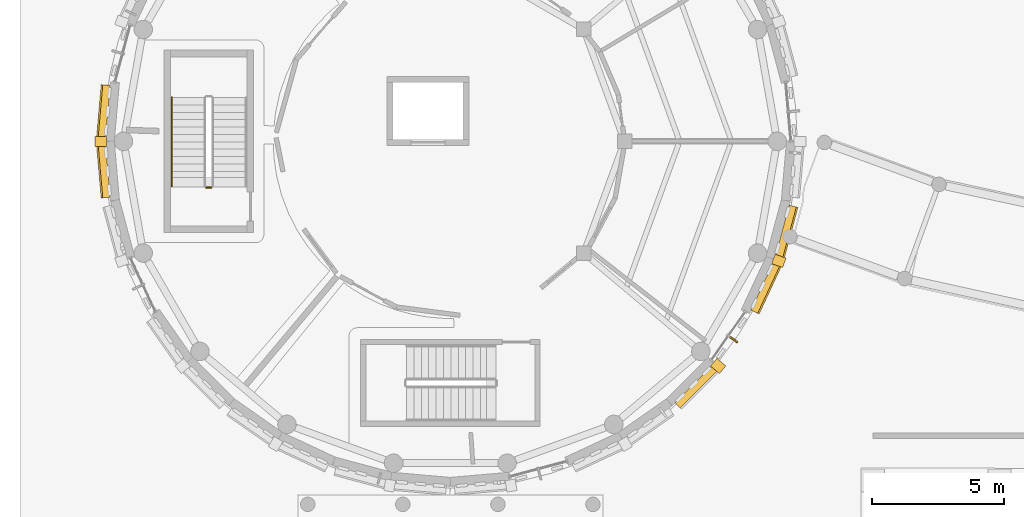
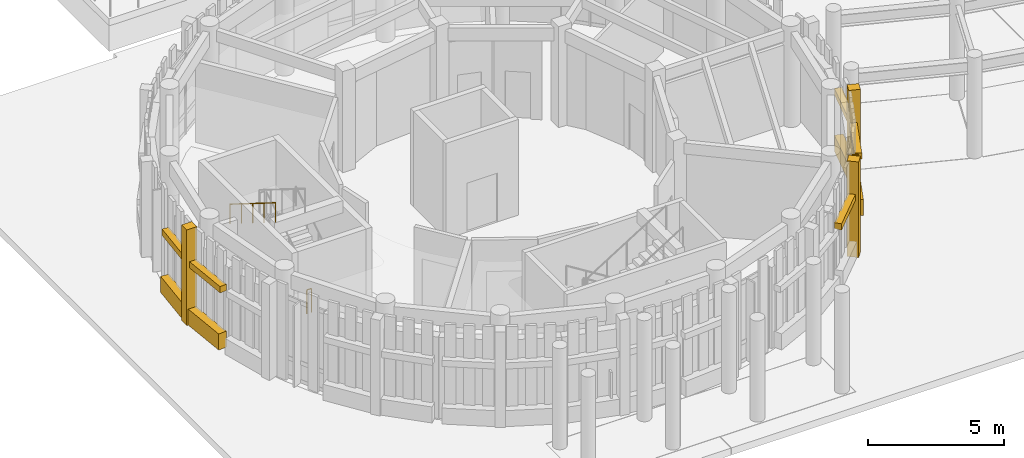
# One storey, part 67 of 94: 12 coverings, 2 railings, 1 shading device.
"""IFC4 building model written with IfcOpenShell, lengths in metres."""

from ifc_helpers import new_model, si_unit, direction, frame, origin, origin_2d, place, context, subcontext, project, spatial, rectangle, circle, extrude, material, layer, layer_set, type_object, element, save


model = new_model("IFC4")

# Units and contexts
model_context = context("Model", 3, precision=1e-05, world=origin(), true_north=direction((0.0, 1.0)))
body_context = subcontext(model_context, "Body", "Model", "MODEL_VIEW")
ifc_project = project(units=[si_unit("LENGTHUNIT", "METRE"), si_unit("AREAUNIT", "SQUARE_METRE"), si_unit("VOLUMEUNIT", "CUBIC_METRE"), si_unit("PLANEANGLEUNIT", "RADIAN"), si_unit("MASSUNIT", "GRAM", prefix="KILO")], contexts=[model_context])

# Site, building, storey
site_placement = place(None, origin())
site = spatial("IfcSite", under=ifc_project, at=site_placement, CompositionType="ELEMENT")
building_placement = place(site_placement, origin())
building = spatial("IfcBuilding", under=site, at=building_placement, Name="Aldenvaro Health Centre", CompositionType="ELEMENT")
storey_placement = place(building_placement, origin())
storey = spatial("IfcBuildingStorey", under=building, at=storey_placement, Name="L00", CompositionType="ELEMENT", Elevation=0.0)

# Coverings
ifc_material_1 = material(Name="Honed Sonoran Buff Limestone", Category="masonry")
ifc_layer = layer(ifc_material_1, 0.280029296875, Name="Honed Sonoran Buff Limestone", Category="masonry")
ifc_layer_set = layer_set([ifc_layer], Name="Honed Sonoran Buff Limestone")
covering_type = type_object("IfcCoveringType", Name="COV-CRN-STN", PredefinedType="CLADDING", material=ifc_layer_set)
covering_1_placement = place(storey_placement, frame((31.240966796875, 15.0859375, 0.0), z_axis=(0.0, 0.0, 1.0), x_axis=(-0.258825000966, -0.9659242304, 0.0)))
element("IfcCovering", 1, at=covering_1_placement, inside=storey, type_object=covering_type, Name="D5 L00 Rusticated Limestone Plinth 2.1", PredefinedType="CLADDING", context=body_context, shape_type="SweptSolid", body=[
    extrude(rectangle(XDim=1.968994140625, YDim=0.340087890625, at=origin_2d()), origin(), (0.0, 0.0, 1.0), 0.719970703125),
])
covering_2_placement = place(storey_placement, frame((31.2119140625, 15.093994140625, 2.5498046875), z_axis=(0.0, 0.0, 1.0), x_axis=(-0.258825000966, -0.9659242304, 0.0)))
element("IfcCovering", 2, at=covering_2_placement, inside=storey, type_object=covering_type, Name="D5 L00 Rusticated Limestone Plinth 2.2", PredefinedType="CLADDING", context=body_context, shape_type="SweptSolid", body=[
    extrude(rectangle(XDim=1.968994140625, YDim=0.280029296875, at=origin_2d()), origin(), (0.0, 0.0, 1.0), 0.280029296875),
])
covering_3_placement = place(storey_placement, frame((30.455078125, 12.925048828125, 0.0), z_axis=(0.0, 0.0, 1.0), x_axis=(-0.422495879545, -0.906364844733, 0.0)))
element("IfcCovering", 3, at=covering_3_placement, inside=storey, type_object=covering_type, Name="D5 L00 Rusticated Limestone Plinth 3.1", PredefinedType="CLADDING", context=body_context, shape_type="SweptSolid", body=[
    extrude(rectangle(XDim=1.968994140625, YDim=0.340087890625, at=origin_2d()), origin(), (0.0, 0.0, 1.0), 0.719970703125),
])
covering_4_placement = place(storey_placement, frame((30.427978515625, 12.93798828125, 2.5498046875), z_axis=(0.0, 0.0, 1.0), x_axis=(-0.422495879545, -0.906364844733, 0.0)))
element("IfcCovering", 4, at=covering_4_placement, inside=storey, type_object=covering_type, Name="D5 L00 Rusticated Limestone Plinth 3.2", PredefinedType="CLADDING", context=body_context, shape_type="SweptSolid", body=[
    extrude(rectangle(XDim=1.968994140625, YDim=0.280029296875, at=origin_2d()), origin(), (0.0, 0.0, 1.0), 0.280029296875),
])
covering_5_placement = place(storey_placement, frame((30.94189453125, 13.971923828125, -0.00048828125), z_axis=(0.0, 0.0, 1.0), x_axis=(0.939693796234, -0.34201691379, 0.0)))
element("IfcCovering", 5, at=covering_5_placement, inside=storey, type_object=covering_type, Name="D5 L00 Engaged Classical Limestone Pilaster 02", PredefinedType="CLADDING", context=body_context, shape_type="SweptSolid", body=[
    extrude(rectangle(XDim=0.43994140625, YDim=0.3798828125, at=origin_2d()), origin(), (0.0, 0.0, 1.0), 4.304931640625),
])
covering_6_placement = place(storey_placement, frame((27.805908203125, 9.194091796875, 2.5498046875), z_axis=(0.0, 0.0, 1.0), x_axis=(-0.707106781187, -0.707106781187, 0.0)))
element("IfcCovering", 6, at=covering_6_placement, inside=storey, type_object=covering_type, Name="D5 L00 Rusticated Limestone Plinth 5.2", PredefinedType="CLADDING", context=body_context, shape_type="SweptSolid", body=[
    extrude(rectangle(XDim=1.968994140625, YDim=0.280029296875, at=origin_2d()), origin(), (0.0, 0.0, 1.0), 0.280029296875),
])
covering_7_placement = place(storey_placement, frame((28.64208984375, 9.989013671875, -0.00048828125), z_axis=(0.0, 0.0, 1.0), x_axis=(0.76604377724, -0.642788403249, 0.0)))
element("IfcCovering", 7, at=covering_7_placement, inside=storey, type_object=covering_type, Name="D5 L00 Engaged Classical Limestone Pilaster 03", PredefinedType="CLADDING", context=body_context, shape_type="SweptSolid", body=[
    extrude(rectangle(XDim=0.43994140625, YDim=0.3798828125, at=origin_2d()), origin(), (0.0, 0.0, 1.0), 4.304931640625),
])
covering_8_placement = place(storey_placement, frame((5.35888671875, 17.35009765625, 0.0), z_axis=(0.0, 0.0, 1.0), x_axis=(-0.087166950289, 0.996193717495, 0.0)))
element("IfcCovering", 8, at=covering_8_placement, inside=storey, type_object=covering_type, Name="D5 L00 Rusticated Limestone Plinth 18.1", PredefinedType="CLADDING", context=body_context, shape_type="SweptSolid", body=[
    extrude(rectangle(XDim=1.968994140625, YDim=0.340087890625, at=origin_2d()), origin(), (0.0, 0.0, 1.0), 0.719970703125),
])
covering_9_placement = place(storey_placement, frame((5.388916015625, 17.35302734375, 2.5498046875), z_axis=(0.0, 0.0, 1.0), x_axis=(-0.087166950289, 0.996193717495, 0.0)))
element("IfcCovering", 9, at=covering_9_placement, inside=storey, type_object=covering_type, Name="D5 L00 Rusticated Limestone Plinth 18.2", PredefinedType="CLADDING", context=body_context, shape_type="SweptSolid", body=[
    extrude(rectangle(XDim=1.968994140625, YDim=0.280029296875, at=origin_2d()), origin(), (0.0, 0.0, 1.0), 0.280029296875),
])
covering_10_placement = place(storey_placement, frame((5.35888671875, 19.64990234375, 0.0), z_axis=(0.0, 0.0, 1.0), x_axis=(0.087166950289, 0.996193717495, 0.0)))
element("IfcCovering", 10, at=covering_10_placement, inside=storey, type_object=covering_type, Name="D5 L00 Rusticated Limestone Plinth 19.1", PredefinedType="CLADDING", context=body_context, shape_type="SweptSolid", body=[
    extrude(rectangle(XDim=1.968994140625, YDim=0.340087890625, at=origin_2d()), origin(), (0.0, 0.0, 1.0), 0.719970703125),
])
covering_11_placement = place(storey_placement, frame((5.388916015625, 19.64697265625, 2.5498046875), z_axis=(0.0, 0.0, 1.0), x_axis=(0.087166950289, 0.996193717495, 0.0)))
element("IfcCovering", 11, at=covering_11_placement, inside=storey, type_object=covering_type, Name="D5 L00 Rusticated Limestone Plinth 19.2", PredefinedType="CLADDING", context=body_context, shape_type="SweptSolid", body=[
    extrude(rectangle(XDim=1.968994140625, YDim=0.280029296875, at=origin_2d()), origin(), (0.0, 0.0, 1.0), 0.280029296875),
])
covering_12_placement = place(storey_placement, frame((5.260009765625, 18.5, -0.00048828125), z_axis=(0.0, 0.0, 1.0), x_axis=(-1.0, 0.0, 0.0)))
element("IfcCovering", 12, at=covering_12_placement, inside=storey, type_object=covering_type, Name="D5 L00 Engaged Classical Limestone Pilaster 10", PredefinedType="CLADDING", context=body_context, shape_type="SweptSolid", body=[
    extrude(rectangle(XDim=0.43994140625, YDim=0.3798828125, at=origin_2d()), origin(), (0.0, 0.0, 1.0), 4.304931640625),
])

# Railings
ifc_material_2 = material(Name="Painted Architectural Steel", Category="steel")
railing_type_1 = type_object("IfcRailingType", Name="RL-BAL-INT", PredefinedType="BALUSTRADE", material=ifc_material_2)
railing_1_placement = place(storey_placement, frame((9.449951171875, 16.75, 0.0)))
element("IfcRailing", 13, at=railing_1_placement, inside=storey, type_object=railing_type_1, Name="L00 ST-09 stair guard 4", PredefinedType="BALUSTRADE", context=body_context, shape_type="SweptSolid", body=[
    extrude(circle(Radius=0.02392578125, at=origin_2d()), frame((0.0, 0.0, 1.076171875), z_axis=(-1.0, 0.0, 0.0), x_axis=(0.0, -1.0, 0.0)), (0.0, 0.0, 1.0), 0.199951171875),
    extrude(circle(Radius=0.02099609375, at=origin_2d()), origin(), (0.0, 0.0, 1.0), 1.052001953125),
    extrude(circle(Radius=0.02099609375, at=origin_2d()), frame((-0.199951171875, 0.0, 0.0)), (0.0, 0.0, 1.0), 1.052001953125),
])
railing_type_2 = type_object("IfcRailingType", Name="RL-HND-INT", PredefinedType="HANDRAIL", material=ifc_material_2)
railing_2_placement = place(storey_placement, frame((7.949951171875, 20.159912109375, 2.449951171875)))
element("IfcRailing", 14, at=railing_2_placement, inside=storey, type_object=railing_type_2, Name="L00 ST-09 stair handrail 2", PredefinedType="HANDRAIL", context=body_context, shape_type="SweptSolid", body=[
    extrude(circle(Radius=0.02392578125, at=origin_2d()), frame((0.0, 0.0, 0.8759765625), z_axis=(0.0, -0.847977533471, 0.530032171408), x_axis=(1.0, 0.0, 0.0)), (0.0, 0.0, 1.0), 3.962158203125),
    extrude(circle(Radius=0.02099609375, at=origin_2d()), origin(), (0.0, 0.0, 1.0), 0.851806640625),
    extrude(circle(Radius=0.02099609375, at=origin_2d()), frame((0.0, -0.83984375, 0.52490234375)), (0.0, 0.0, 1.0), 0.851806640625),
    extrude(circle(Radius=0.02099609375, at=origin_2d()), frame((0.0, -1.679931640625, 1.050048828125)), (0.0, 0.0, 1.0), 0.851806640625),
    extrude(circle(Radius=0.02099609375, at=origin_2d()), frame((0.0, -2.52001953125, 1.5751953125)), (0.0, 0.0, 1.0), 0.851806640625),
    extrude(circle(Radius=0.02099609375, at=origin_2d()), frame((0.0, -3.35986328125, 2.10009765625)), (0.0, 0.0, 1.0), 0.851806640625),
])

# Shading device
ifc_material_3 = material(Name="Douglas Fir Exterior Glulam GL28h", Category="wood")
shading_device_type = type_object("IfcShadingDeviceType", Name="SHD-FIN-420", PredefinedType="USERDEFINED", material=ifc_material_3)
shading_device_placement = place(storey_placement, frame((29.198974609375, 11.009033203125, -0.0205078125), z_axis=(0.0, 0.0, 1.0), x_axis=(-0.573641397746, -0.819106553991, 0.0)))
element("IfcShadingDevice", 15, at=shading_device_placement, inside=storey, type_object=shading_device_type, Name="D5 L00 vertical timber fin 4.0", ObjectType="FIN", PredefinedType="USERDEFINED", context=body_context, shape_type="SweptSolid", body=[
    extrude(rectangle(XDim=0.06494140625, YDim=0.419921875, at=origin_2d()), origin(), (0.0, 0.0, 1.0), 3.698974609375),
])

save(model, "model.ifc")
